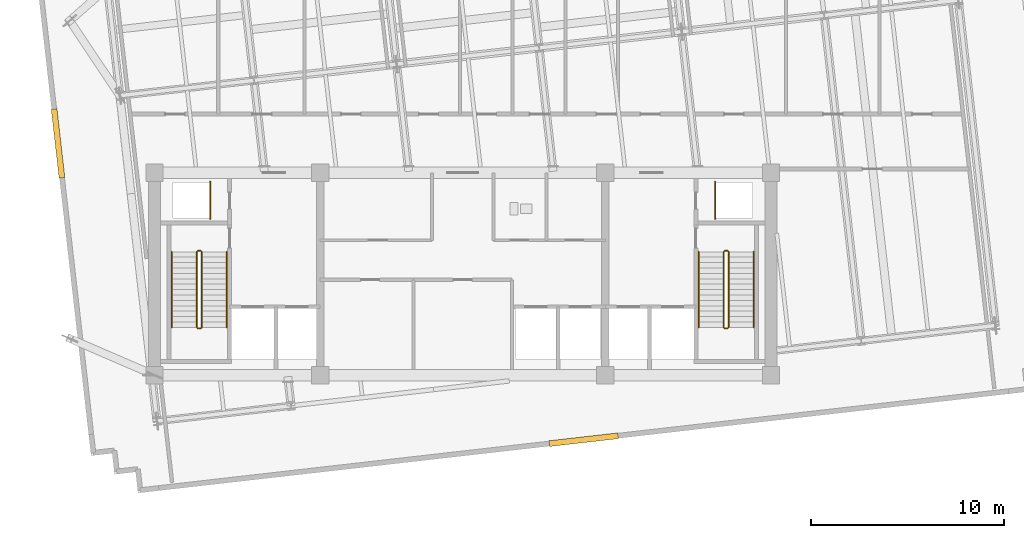
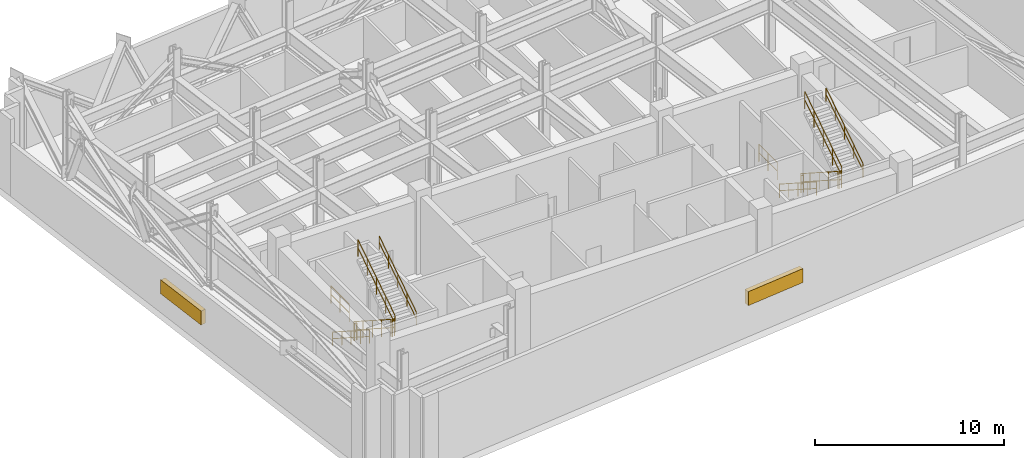
# One storey, part 8 of 10: 14 railings, 2 shading devices.
"""IFC4 building model written with IfcOpenShell, lengths in metres."""

from ifc_helpers import new_model, si_unit, direction, frame, origin, origin_2d, place, context, subcontext, project, spatial, rectangle, circle, extrude, material, layer, layer_set, type_object, element, save


model = new_model("IFC4")

# Units and contexts
model_context = context("Model", 3, precision=1e-05, world=origin(), true_north=direction((0.0, 1.0)))
body_context = subcontext(model_context, "Body", "Model", "MODEL_VIEW")
ifc_project = project(units=[si_unit("LENGTHUNIT", "METRE"), si_unit("AREAUNIT", "SQUARE_METRE"), si_unit("VOLUMEUNIT", "CUBIC_METRE"), si_unit("PLANEANGLEUNIT", "RADIAN"), si_unit("MASSUNIT", "GRAM", prefix="KILO")], contexts=[model_context])

# Site, building, storey
site_placement = place(None, origin())
site = spatial("IfcSite", under=ifc_project, at=site_placement, CompositionType="ELEMENT")
building_placement = place(site_placement, origin())
building = spatial("IfcBuilding", under=site, at=building_placement, Name="Solmavex Isthmus Hotel", CompositionType="ELEMENT")
storey_placement = place(building_placement, frame((0.0, 0.0, 240.0)))
storey = spatial("IfcBuildingStorey", under=building, at=storey_placement, Name="L65", CompositionType="ELEMENT", Elevation=240.0)

# Railings
ifc_material_1 = material(Name="Clear low-E laminated glass", Category="glass")
ifc_layer_1 = layer(ifc_material_1, 0.080078125)
ifc_layer_set_1 = layer_set([ifc_layer_1], Name="Clear low-E laminated glass")
railing_type_1 = type_object("IfcRailingType", Name="RAIL-ATRIUM-1120", PredefinedType="BALUSTRADE", material=ifc_layer_set_1)
for number, where, name in (
    (1, (-13.10009765625, -4.89990234375, 0.0), "Guardrail Balustrade L65-RSW-01"),
    (2, (13.10009765625, -4.89990234375, 0.0), "Guardrail Balustrade L65-RSE-01"),
):
    element("IfcRailing", number, at=place(storey_placement, frame(where)), inside=storey, type_object=railing_type_1, Name=name, PredefinedType="BALUSTRADE", context=body_context, shape_type="SweptSolid", body=[
        extrude(circle(Radius=0.02392578125, at=origin_2d()), frame((0.0, 0.0, 1.1259765625), z_axis=(0.0, 1.0, 0.0), x_axis=(-1.0, 0.0, 0.0)), (0.0, 0.0, 1.0), 1.949951171875),
        extrude(circle(Radius=0.02392578125, at=origin_2d()), frame((0.0, 0.0, 0.574951171875), z_axis=(0.0, 1.0, 0.0), x_axis=(-1.0, 0.0, 0.0)), (0.0, 0.0, 1.0), 1.949951171875),
        extrude(circle(Radius=0.02099609375, at=origin_2d()), origin(), (0.0, 0.0, 1.0), 1.101806640625),
        extrude(circle(Radius=0.02099609375, at=origin_2d()), frame((0.0, 0.97509765625, 0.0)), (0.0, 0.0, 1.0), 1.101806640625),
        extrude(circle(Radius=0.02099609375, at=origin_2d()), frame((0.0, 1.949951171875, 0.0)), (0.0, 0.0, 1.0), 1.101806640625),
    ])
ifc_material_2 = material(Name="Stainless steel 316", Category="steel")
ifc_layer_2 = layer(ifc_material_2, 0.06005859375)
ifc_layer_set_2 = layer_set([ifc_layer_2], Name="Stainless steel 316")
railing_type_2 = type_object("IfcRailingType", Name="RAIL-STAIR-GD", PredefinedType="GUARDRAIL", material=ifc_layer_set_2)
railing_1_placement = place(storey_placement, frame((-13.800048828125, -6.60009765625, 0.179931640625)))
element("IfcRailing", 3, at=railing_1_placement, inside=storey, type_object=railing_type_2, Name="L65 ST-1 stair guard 1", PredefinedType="GUARDRAIL", context=body_context, shape_type="SweptSolid", body=[
    extrude(circle(Radius=0.02392578125, at=origin_2d()), frame((0.0, 0.0, 1.09619140625), z_axis=(0.0, -0.841171666519, 0.540768182723), x_axis=(1.0, 0.0, 0.0)), (0.0, 0.0, 1.0), 4.66015625),
    extrude(circle(Radius=0.02392578125, at=origin_2d()), frame((0.0, 0.0, 0.56005859375), z_axis=(0.0, -0.841171666519, 0.540768182723), x_axis=(1.0, 0.0, 0.0)), (0.0, 0.0, 1.0), 4.66015625),
    extrude(circle(Radius=0.02099609375, at=origin_2d()), origin(), (0.0, 0.0, 1.0), 1.072021484375),
    extrude(circle(Radius=0.02099609375, at=origin_2d()), frame((0.0, -0.97998046875, 0.6298828125)), (0.0, 0.0, 1.0), 1.072021484375),
    extrude(circle(Radius=0.02099609375, at=origin_2d()), frame((0.0, -1.9599609375, 1.260009765625)), (0.0, 0.0, 1.0), 1.072021484375),
    extrude(circle(Radius=0.02099609375, at=origin_2d()), frame((0.0, -2.93994140625, 1.89013671875)), (0.0, 0.0, 1.0), 1.072021484375),
    extrude(circle(Radius=0.02099609375, at=origin_2d()), frame((0.0, -3.919921875, 2.52001953125)), (0.0, 0.0, 1.0), 1.072021484375),
])
railing_2_placement = place(storey_placement, frame((-13.75, -10.570068359375, 2.699951171875)))
element("IfcRailing", 4, at=railing_2_placement, inside=storey, type_object=railing_type_2, Name="L65 ST-1 stair guard 2", PredefinedType="GUARDRAIL", context=body_context, shape_type="SweptSolid", body=[
    extrude(circle(Radius=0.02392578125, at=origin_2d()), frame((0.0, 0.0, 1.09619140625), z_axis=(1.0, 0.0, 0.0), x_axis=(0.0, 1.0, 0.0)), (0.0, 0.0, 1.0), 0.14990234375),
    extrude(circle(Radius=0.02392578125, at=origin_2d()), frame((0.0, 0.0, 0.56005859375), z_axis=(1.0, 0.0, 0.0), x_axis=(0.0, 1.0, 0.0)), (0.0, 0.0, 1.0), 0.14990234375),
    extrude(circle(Radius=0.02099609375, at=origin_2d()), origin(), (0.0, 0.0, 1.0), 1.072021484375),
    extrude(circle(Radius=0.02099609375, at=origin_2d()), frame((0.14990234375, 0.0, 0.0)), (0.0, 0.0, 1.0), 1.072021484375),
])
railing_3_placement = place(storey_placement, frame((-13.550048828125, -10.52001953125, 2.8798828125)))
element("IfcRailing", 5, at=railing_3_placement, inside=storey, type_object=railing_type_2, Name="L65 ST-1 stair guard 3", PredefinedType="GUARDRAIL", context=body_context, shape_type="SweptSolid", body=[
    extrude(circle(Radius=0.02392578125, at=origin_2d()), frame((0.0, 0.0, 1.09619140625), z_axis=(0.0, 0.841171666519, 0.540768182723), x_axis=(-1.0, 0.0, 0.0)), (0.0, 0.0, 1.0), 4.66015625),
    extrude(circle(Radius=0.02392578125, at=origin_2d()), frame((0.0, 0.0, 0.56005859375), z_axis=(0.0, 0.841171666519, 0.540768182723), x_axis=(-1.0, 0.0, 0.0)), (0.0, 0.0, 1.0), 4.66015625),
    extrude(circle(Radius=0.02099609375, at=origin_2d()), origin(), (0.0, 0.0, 1.0), 1.072021484375),
    extrude(circle(Radius=0.02099609375, at=origin_2d()), frame((0.0, 0.97998046875, 0.6298828125)), (0.0, 0.0, 1.0), 1.072021484375),
    extrude(circle(Radius=0.02099609375, at=origin_2d()), frame((0.0, 1.9599609375, 1.260009765625)), (0.0, 0.0, 1.0), 1.072021484375),
    extrude(circle(Radius=0.02099609375, at=origin_2d()), frame((0.0, 2.93994140625, 1.89013671875)), (0.0, 0.0, 1.0), 1.072021484375),
    extrude(circle(Radius=0.02099609375, at=origin_2d()), frame((0.0, 3.919921875, 2.52001953125)), (0.0, 0.0, 1.0), 1.072021484375),
])
railing_4_placement = place(storey_placement, frame((-13.75, -6.550048828125, 0.0)))
element("IfcRailing", 6, at=railing_4_placement, inside=storey, type_object=railing_type_2, Name="L65 ST-1 stair guard 4", PredefinedType="GUARDRAIL", context=body_context, shape_type="SweptSolid", body=[
    extrude(circle(Radius=0.02392578125, at=origin_2d()), frame((0.0, 0.0, 1.09619140625), z_axis=(1.0, 0.0, 0.0), x_axis=(0.0, 1.0, 0.0)), (0.0, 0.0, 1.0), 0.14990234375),
    extrude(circle(Radius=0.02392578125, at=origin_2d()), frame((0.0, 0.0, 0.56005859375), z_axis=(1.0, 0.0, 0.0), x_axis=(0.0, 1.0, 0.0)), (0.0, 0.0, 1.0), 0.14990234375),
    extrude(circle(Radius=0.02099609375, at=origin_2d()), origin(), (0.0, 0.0, 1.0), 1.072021484375),
    extrude(circle(Radius=0.02099609375, at=origin_2d()), frame((0.14990234375, 0.0, 0.0)), (0.0, 0.0, 1.0), 1.072021484375),
])
railing_5_placement = place(storey_placement, frame((13.550048828125, -6.60009765625, 0.179931640625)))
element("IfcRailing", 7, at=railing_5_placement, inside=storey, type_object=railing_type_2, Name="L65 ST-2 stair guard 1", PredefinedType="GUARDRAIL", context=body_context, shape_type="SweptSolid", body=[
    extrude(circle(Radius=0.02392578125, at=origin_2d()), frame((0.0, 0.0, 1.09619140625), z_axis=(0.0, -0.841171666519, 0.540768182723), x_axis=(1.0, 0.0, 0.0)), (0.0, 0.0, 1.0), 4.66015625),
    extrude(circle(Radius=0.02392578125, at=origin_2d()), frame((0.0, 0.0, 0.56005859375), z_axis=(0.0, -0.841171666519, 0.540768182723), x_axis=(1.0, 0.0, 0.0)), (0.0, 0.0, 1.0), 4.66015625),
    extrude(circle(Radius=0.02099609375, at=origin_2d()), origin(), (0.0, 0.0, 1.0), 1.072021484375),
    extrude(circle(Radius=0.02099609375, at=origin_2d()), frame((0.0, -0.97998046875, 0.6298828125)), (0.0, 0.0, 1.0), 1.072021484375),
    extrude(circle(Radius=0.02099609375, at=origin_2d()), frame((0.0, -1.9599609375, 1.260009765625)), (0.0, 0.0, 1.0), 1.072021484375),
    extrude(circle(Radius=0.02099609375, at=origin_2d()), frame((0.0, -2.93994140625, 1.89013671875)), (0.0, 0.0, 1.0), 1.072021484375),
    extrude(circle(Radius=0.02099609375, at=origin_2d()), frame((0.0, -3.919921875, 2.52001953125)), (0.0, 0.0, 1.0), 1.072021484375),
])
railing_6_placement = place(storey_placement, frame((13.60009765625, -10.570068359375, 2.699951171875)))
element("IfcRailing", 8, at=railing_6_placement, inside=storey, type_object=railing_type_2, Name="L65 ST-2 stair guard 2", PredefinedType="GUARDRAIL", context=body_context, shape_type="SweptSolid", body=[
    extrude(circle(Radius=0.02392578125, at=origin_2d()), frame((0.0, 0.0, 1.09619140625), z_axis=(1.0, 0.0, 0.0), x_axis=(0.0, 1.0, 0.0)), (0.0, 0.0, 1.0), 0.14990234375),
    extrude(circle(Radius=0.02392578125, at=origin_2d()), frame((0.0, 0.0, 0.56005859375), z_axis=(1.0, 0.0, 0.0), x_axis=(0.0, 1.0, 0.0)), (0.0, 0.0, 1.0), 0.14990234375),
    extrude(circle(Radius=0.02099609375, at=origin_2d()), origin(), (0.0, 0.0, 1.0), 1.072021484375),
    extrude(circle(Radius=0.02099609375, at=origin_2d()), frame((0.14990234375, 0.0, 0.0)), (0.0, 0.0, 1.0), 1.072021484375),
])
railing_7_placement = place(storey_placement, frame((13.800048828125, -10.52001953125, 2.8798828125)))
element("IfcRailing", 9, at=railing_7_placement, inside=storey, type_object=railing_type_2, Name="L65 ST-2 stair guard 3", PredefinedType="GUARDRAIL", context=body_context, shape_type="SweptSolid", body=[
    extrude(circle(Radius=0.02392578125, at=origin_2d()), frame((0.0, 0.0, 1.09619140625), z_axis=(0.0, 0.841171666519, 0.540768182723), x_axis=(-1.0, 0.0, 0.0)), (0.0, 0.0, 1.0), 4.66015625),
    extrude(circle(Radius=0.02392578125, at=origin_2d()), frame((0.0, 0.0, 0.56005859375), z_axis=(0.0, 0.841171666519, 0.540768182723), x_axis=(-1.0, 0.0, 0.0)), (0.0, 0.0, 1.0), 4.66015625),
    extrude(circle(Radius=0.02099609375, at=origin_2d()), origin(), (0.0, 0.0, 1.0), 1.072021484375),
    extrude(circle(Radius=0.02099609375, at=origin_2d()), frame((0.0, 0.97998046875, 0.6298828125)), (0.0, 0.0, 1.0), 1.072021484375),
    extrude(circle(Radius=0.02099609375, at=origin_2d()), frame((0.0, 1.9599609375, 1.260009765625)), (0.0, 0.0, 1.0), 1.072021484375),
    extrude(circle(Radius=0.02099609375, at=origin_2d()), frame((0.0, 2.93994140625, 1.89013671875)), (0.0, 0.0, 1.0), 1.072021484375),
    extrude(circle(Radius=0.02099609375, at=origin_2d()), frame((0.0, 3.919921875, 2.52001953125)), (0.0, 0.0, 1.0), 1.072021484375),
])
railing_8_placement = place(storey_placement, frame((13.60009765625, -6.550048828125, 0.0)))
element("IfcRailing", 10, at=railing_8_placement, inside=storey, type_object=railing_type_2, Name="L65 ST-2 stair guard 4", PredefinedType="GUARDRAIL", context=body_context, shape_type="SweptSolid", body=[
    extrude(circle(Radius=0.02392578125, at=origin_2d()), frame((0.0, 0.0, 1.09619140625), z_axis=(1.0, 0.0, 0.0), x_axis=(0.0, 1.0, 0.0)), (0.0, 0.0, 1.0), 0.14990234375),
    extrude(circle(Radius=0.02392578125, at=origin_2d()), frame((0.0, 0.0, 0.56005859375), z_axis=(1.0, 0.0, 0.0), x_axis=(0.0, 1.0, 0.0)), (0.0, 0.0, 1.0), 0.14990234375),
    extrude(circle(Radius=0.02099609375, at=origin_2d()), origin(), (0.0, 0.0, 1.0), 1.072021484375),
    extrude(circle(Radius=0.02099609375, at=origin_2d()), frame((0.14990234375, 0.0, 0.0)), (0.0, 0.0, 1.0), 1.072021484375),
])
ifc_layer_3 = layer(ifc_material_2, 0.050048828125)
ifc_layer_set_3 = layer_set([ifc_layer_3], Name="Stainless steel 316")
railing_type_3 = type_object("IfcRailingType", Name="RAIL-STAIR-HR", PredefinedType="HANDRAIL", material=ifc_layer_set_3)
railing_9_placement = place(storey_placement, frame((-15.10009765625, -6.60009765625, 0.179931640625)))
element("IfcRailing", 11, at=railing_9_placement, inside=storey, type_object=railing_type_3, Name="L65 ST-1 stair handrail 1", PredefinedType="HANDRAIL", context=body_context, shape_type="SweptSolid", body=[
    extrude(circle(Radius=0.02392578125, at=origin_2d()), frame((0.0, 0.0, 0.8759765625), z_axis=(0.0, -0.841171666519, 0.540768182723), x_axis=(1.0, 0.0, 0.0)), (0.0, 0.0, 1.0), 4.66015625),
    extrude(circle(Radius=0.02392578125, at=origin_2d()), frame((0.0, 0.0, 0.449951171875), z_axis=(0.0, -0.841171666519, 0.540768182723), x_axis=(1.0, 0.0, 0.0)), (0.0, 0.0, 1.0), 4.66015625),
    extrude(circle(Radius=0.02099609375, at=origin_2d()), origin(), (0.0, 0.0, 1.0), 0.851806640625),
    extrude(circle(Radius=0.02099609375, at=origin_2d()), frame((0.0, -0.97998046875, 0.6298828125)), (0.0, 0.0, 1.0), 0.851806640625),
    extrude(circle(Radius=0.02099609375, at=origin_2d()), frame((0.0, -1.9599609375, 1.260009765625)), (0.0, 0.0, 1.0), 0.851806640625),
    extrude(circle(Radius=0.02099609375, at=origin_2d()), frame((0.0, -2.93994140625, 1.89013671875)), (0.0, 0.0, 1.0), 0.851806640625),
    extrude(circle(Radius=0.02099609375, at=origin_2d()), frame((0.0, -3.919921875, 2.52001953125)), (0.0, 0.0, 1.0), 0.851806640625),
])
railing_10_placement = place(storey_placement, frame((-12.25, -10.52001953125, 2.8798828125)))
element("IfcRailing", 12, at=railing_10_placement, inside=storey, type_object=railing_type_3, Name="L65 ST-1 stair handrail 2", PredefinedType="HANDRAIL", context=body_context, shape_type="SweptSolid", body=[
    extrude(circle(Radius=0.02392578125, at=origin_2d()), frame((0.0, 0.0, 0.8759765625), z_axis=(0.0, 0.841171666519, 0.540768182723), x_axis=(-1.0, 0.0, 0.0)), (0.0, 0.0, 1.0), 4.66015625),
    extrude(circle(Radius=0.02392578125, at=origin_2d()), frame((0.0, 0.0, 0.449951171875), z_axis=(0.0, 0.841171666519, 0.540768182723), x_axis=(-1.0, 0.0, 0.0)), (0.0, 0.0, 1.0), 4.66015625),
    extrude(circle(Radius=0.02099609375, at=origin_2d()), origin(), (0.0, 0.0, 1.0), 0.851806640625),
    extrude(circle(Radius=0.02099609375, at=origin_2d()), frame((0.0, 0.97998046875, 0.6298828125)), (0.0, 0.0, 1.0), 0.851806640625),
    extrude(circle(Radius=0.02099609375, at=origin_2d()), frame((0.0, 1.9599609375, 1.260009765625)), (0.0, 0.0, 1.0), 0.851806640625),
    extrude(circle(Radius=0.02099609375, at=origin_2d()), frame((0.0, 2.93994140625, 1.89013671875)), (0.0, 0.0, 1.0), 0.851806640625),
    extrude(circle(Radius=0.02099609375, at=origin_2d()), frame((0.0, 3.919921875, 2.52001953125)), (0.0, 0.0, 1.0), 0.851806640625),
])
railing_11_placement = place(storey_placement, frame((12.25, -6.60009765625, 0.179931640625)))
element("IfcRailing", 13, at=railing_11_placement, inside=storey, type_object=railing_type_3, Name="L65 ST-2 stair handrail 1", PredefinedType="HANDRAIL", context=body_context, shape_type="SweptSolid", body=[
    extrude(circle(Radius=0.02392578125, at=origin_2d()), frame((0.0, 0.0, 0.8759765625), z_axis=(0.0, -0.841171666519, 0.540768182723), x_axis=(1.0, 0.0, 0.0)), (0.0, 0.0, 1.0), 4.66015625),
    extrude(circle(Radius=0.02392578125, at=origin_2d()), frame((0.0, 0.0, 0.449951171875), z_axis=(0.0, -0.841171666519, 0.540768182723), x_axis=(1.0, 0.0, 0.0)), (0.0, 0.0, 1.0), 4.66015625),
    extrude(circle(Radius=0.02099609375, at=origin_2d()), origin(), (0.0, 0.0, 1.0), 0.851806640625),
    extrude(circle(Radius=0.02099609375, at=origin_2d()), frame((0.0, -0.97998046875, 0.6298828125)), (0.0, 0.0, 1.0), 0.851806640625),
    extrude(circle(Radius=0.02099609375, at=origin_2d()), frame((0.0, -1.9599609375, 1.260009765625)), (0.0, 0.0, 1.0), 0.851806640625),
    extrude(circle(Radius=0.02099609375, at=origin_2d()), frame((0.0, -2.93994140625, 1.89013671875)), (0.0, 0.0, 1.0), 0.851806640625),
    extrude(circle(Radius=0.02099609375, at=origin_2d()), frame((0.0, -3.919921875, 2.52001953125)), (0.0, 0.0, 1.0), 0.851806640625),
])
railing_12_placement = place(storey_placement, frame((15.10009765625, -10.52001953125, 2.8798828125)))
element("IfcRailing", 14, at=railing_12_placement, inside=storey, type_object=railing_type_3, Name="L65 ST-2 stair handrail 2", PredefinedType="HANDRAIL", context=body_context, shape_type="SweptSolid", body=[
    extrude(circle(Radius=0.02392578125, at=origin_2d()), frame((0.0, 0.0, 0.8759765625), z_axis=(0.0, 0.841171666519, 0.540768182723), x_axis=(-1.0, 0.0, 0.0)), (0.0, 0.0, 1.0), 4.66015625),
    extrude(circle(Radius=0.02392578125, at=origin_2d()), frame((0.0, 0.0, 0.449951171875), z_axis=(0.0, 0.841171666519, 0.540768182723), x_axis=(-1.0, 0.0, 0.0)), (0.0, 0.0, 1.0), 4.66015625),
    extrude(circle(Radius=0.02099609375, at=origin_2d()), origin(), (0.0, 0.0, 1.0), 0.851806640625),
    extrude(circle(Radius=0.02099609375, at=origin_2d()), frame((0.0, 0.97998046875, 0.6298828125)), (0.0, 0.0, 1.0), 0.851806640625),
    extrude(circle(Radius=0.02099609375, at=origin_2d()), frame((0.0, 1.9599609375, 1.260009765625)), (0.0, 0.0, 1.0), 0.851806640625),
    extrude(circle(Radius=0.02099609375, at=origin_2d()), frame((0.0, 2.93994140625, 1.89013671875)), (0.0, 0.0, 1.0), 0.851806640625),
    extrude(circle(Radius=0.02099609375, at=origin_2d()), frame((0.0, 3.919921875, 2.52001953125)), (0.0, 0.0, 1.0), 0.851806640625),
])

# Shading devices
ifc_material_3 = material(Name="Aluminium alloy 6063-T6", Category="aluminium")
shading_device_type = type_object("IfcShadingDeviceType", Name="SHD-LOUVRE-BOX", PredefinedType="JALOUSIE", material=ifc_material_3)
for number, where, z_axis, x_axis, name in (
    (15, (-21.0068359375, -0.971923828125, 1.242431640625), (0.0, 0.0, 1.0), (-0.113203213768, 0.993571855677, 0.0), "Acoustic Intake Louvre Screen L65-07"),
    (16, (6.279541015625, -16.351806640625, 2.025146484375), (0.0, 0.0, 1.0), (-0.993571855677, -0.113203213768, 0.0), "Acoustic Intake Louvre Screen L65-28"),
):
    element("IfcShadingDevice", number, at=place(storey_placement, frame(where, z_axis=z_axis, x_axis=x_axis)), inside=storey, type_object=shading_device_type, Name=name, PredefinedType="JALOUSIE", context=body_context, shape_type="SweptSolid", body=[
        extrude(rectangle(XDim=3.60009765625, YDim=0.300048828125, at=origin_2d()), origin(), (0.0, 0.0, 1.0), 0.89990234375),
    ])

save(model, "model.ifc")
